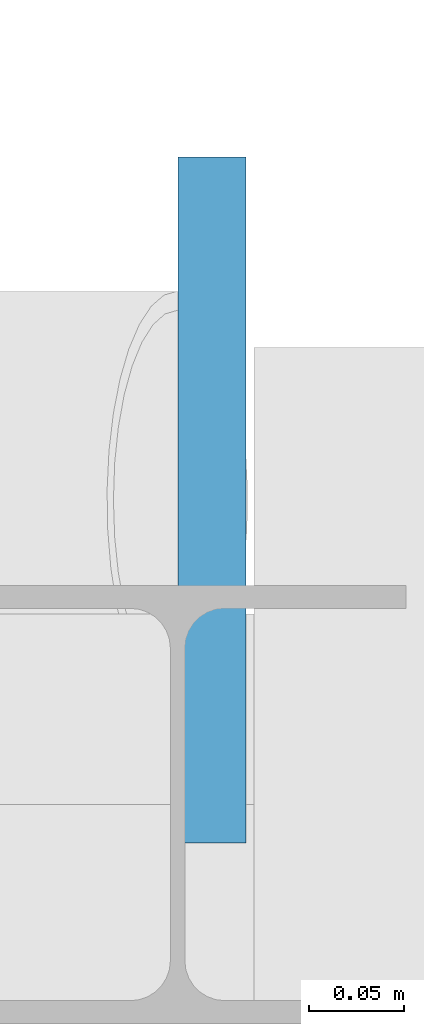
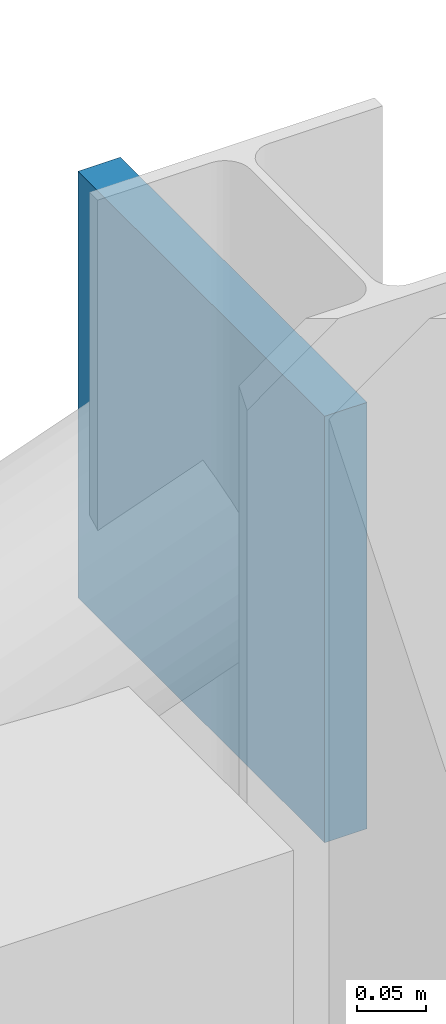
# One storey, part 134 of 159: 1 plate.
"""IFC4 building model written with IfcOpenShell, lengths in metres."""

from ifc_helpers import new_model, si_unit, direction, frame, origin, origin_2d, place, context, subcontext, project, spatial, rectangle, extrude, material, layer, layer_set, type_object, element, save


model = new_model("IFC4")

# Units and contexts
model_context = context("Model", 3, precision=1e-05, world=origin(), true_north=direction((0.0, 1.0)))
body_context = subcontext(model_context, "Body", "Model", "MODEL_VIEW")
ifc_project = project(units=[si_unit("LENGTHUNIT", "METRE"), si_unit("AREAUNIT", "SQUARE_METRE"), si_unit("VOLUMEUNIT", "CUBIC_METRE"), si_unit("PLANEANGLEUNIT", "RADIAN"), si_unit("MASSUNIT", "GRAM", prefix="KILO")], contexts=[model_context])

# Site, building, storey
site_placement = place(None, origin())
site = spatial("IfcSite", under=ifc_project, at=site_placement, CompositionType="ELEMENT")
building_placement = place(site_placement, origin())
building = spatial("IfcBuilding", under=site, at=building_placement, Name="Merenkruunu Market Hall", CompositionType="ELEMENT")
storey_placement = place(building_placement, frame((0.0, 0.0, 5.39990234375)))
storey = spatial("IfcBuildingStorey", under=building, at=storey_placement, Name="L01", CompositionType="ELEMENT", Elevation=5.39990234375)

# Plate
ifc_material = material(Name="Steel S355ML", Category="steel")
ifc_layer = layer(ifc_material, 0.035888671875)
ifc_layer_set = layer_set([ifc_layer], Name="Steel S355ML")
plate_type = type_object("IfcPlateType", Name="Truss Gusset Or Cap Plate CP08", PredefinedType="USERDEFINED", material=ifc_layer_set)
plate_placement = place(storey_placement, frame((100.818115234375, 15.760009765625, 4.26025390625), z_axis=(0.0, 0.0, 1.0), x_axis=(1.0, 0.0, 0.0)))
element("IfcPlate", 1, at=plate_placement, inside=storey, type_object=plate_type, Name="PLT-CBF08-B", ObjectType="GUSSET_PLATE", PredefinedType="USERDEFINED", context=body_context, shape_type="SweptSolid", body=[
    extrude(rectangle(XDim=0.035888671875, YDim=0.360107421875, at=origin_2d()), origin(), (0.0, 0.0, 1.0), 0.3798828125),
])

save(model, "model.ifc")
